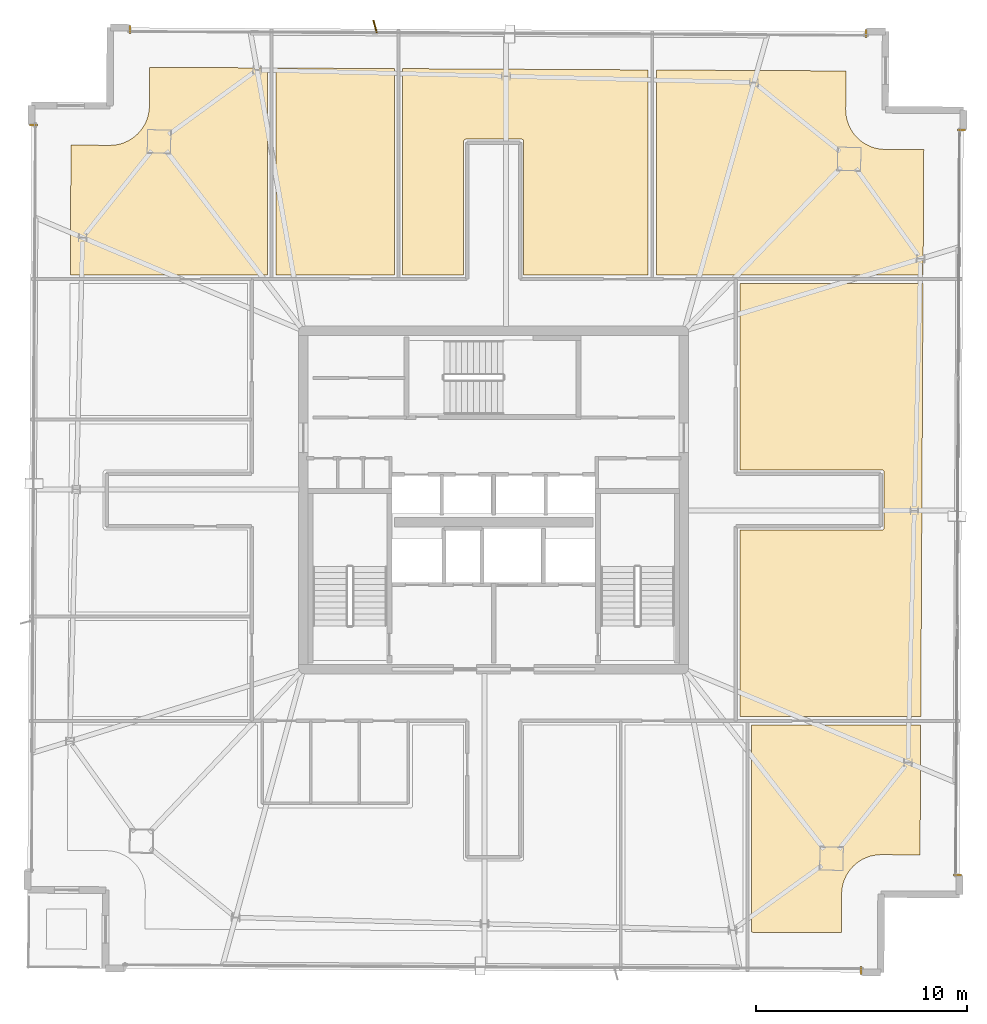
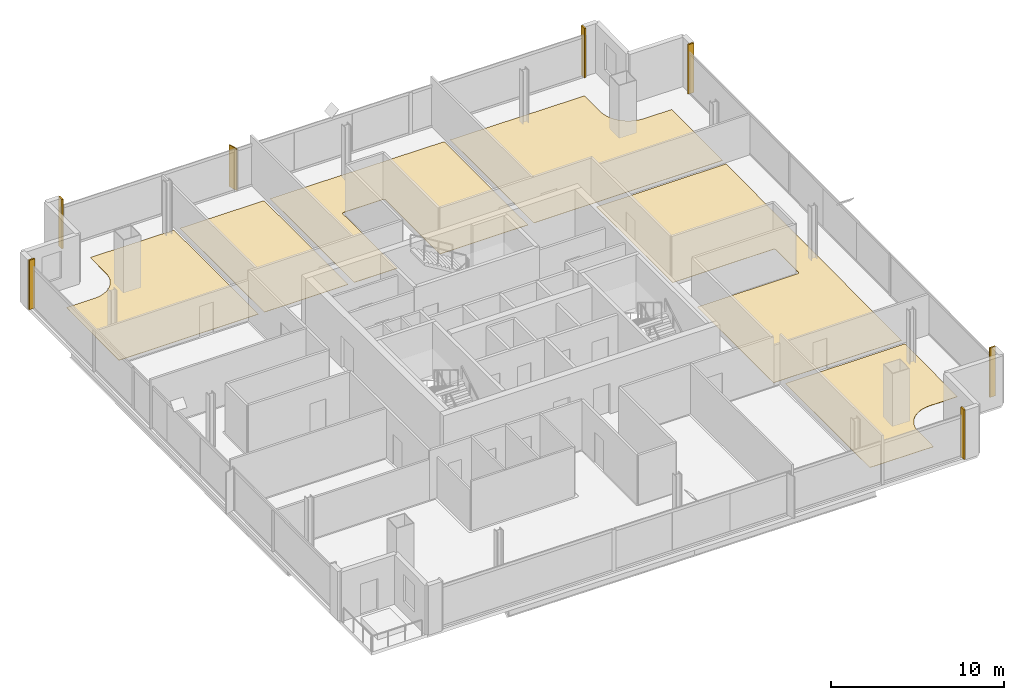
# One storey, part 24 of 24: 12 coverings, 1 shading device.
"""IFC4 building model written with IfcOpenShell, lengths in metres."""

from ifc_helpers import new_model, si_unit, direction, frame, origin, origin_2d, place, context, subcontext, project, spatial, polyline, rectangle, outline, extrude, source, transform, mapped, material, layer, layer_set, type_object, element, save


model = new_model("IFC4")

# Units and contexts
model_context = context("Model", 3, precision=1e-05, world=origin(), true_north=direction((0.0, 1.0)))
body_context = subcontext(model_context, "Body", "Model", "MODEL_VIEW")
ifc_project = project(units=[si_unit("LENGTHUNIT", "METRE"), si_unit("AREAUNIT", "SQUARE_METRE"), si_unit("VOLUMEUNIT", "CUBIC_METRE"), si_unit("PLANEANGLEUNIT", "RADIAN"), si_unit("MASSUNIT", "GRAM", prefix="KILO")], contexts=[model_context])

# Site, building, storey
site_placement = place(None, origin())
site = spatial("IfcSite", under=ifc_project, at=site_placement, CompositionType="ELEMENT")
building_placement = place(site_placement, origin())
building = spatial("IfcBuilding", under=site, at=building_placement, Name="Haldenkirk Collegiate Tower", CompositionType="ELEMENT")
storey_placement = place(building_placement, frame((0.0, 0.0, 328.949951171875)))
storey = spatial("IfcBuildingStorey", under=building, at=storey_placement, Name="L83", CompositionType="ELEMENT", Elevation=328.949951171875)

# Coverings
ifc_material_1 = material(Name="Polished collegiate terrazzo", Category="concrete")
ifc_layer_1 = layer(ifc_material_1, 0.02490234375)
ifc_layer_set_1 = layer_set([ifc_layer_1], Name="Polished collegiate terrazzo")
covering_type_1 = type_object("IfcCoveringType", Name="COV-FLOOR-TERRAZZO", PredefinedType="FLOORING", material=ifc_layer_set_1)
covering_1_placement = place(storey_placement, origin())
element("IfcCovering", 1, at=covering_1_placement, inside=storey, type_object=covering_type_1, Name="L83 academic room finish 04", PredefinedType="FLOORING", context=body_context, shape_type="SweptSolid", body=[
    extrude(outline(polyline([(17.837646484375, 42.775390625), (17.843505859375, 42.775390625), (18.01513671875, 42.782958984375), (18.02685546875, 42.7841796875), (18.19677734375, 42.808349609375), (18.208251953125, 42.810546875), (18.375, 42.851318359375), (18.386474609375, 42.854736328125), (18.54833984375, 42.911865234375), (18.559326171875, 42.916259765625), (18.71484375, 42.989013671875), (18.725341796875, 42.994384765625), (18.873291015625, 43.08203125), (18.8828125, 43.08837890625), (19.021484375, 43.18994140625), (19.03076171875, 43.197509765625), (19.158447265625, 43.31201171875), (19.166748046875, 43.3203125), (19.28271484375, 43.447021484375), (19.290283203125, 43.4560546875), (19.393310546875, 43.593505859375), (19.39990234375, 43.603271484375), (19.489013671875, 43.75), (19.49462890625, 43.760498046875), (19.56884765625, 43.915283203125), (19.573486328125, 43.926025390625), (19.632080078125, 44.08740234375), (19.6357421875, 44.0986328125), (19.67822265625, 44.26513671875), (19.6806640625, 44.276611328125), (19.70654296875, 44.4462890625), (19.707763671875, 44.4580078125), (19.71728515625, 44.62939453125), (19.71728515625, 44.635498046875), (19.72705078125, 46.465576171875), (25.300048828125, 46.436279296875), (25.300048828125, 36.64990234375), (15.975341796875, 36.64990234375), (16.007568359375, 42.784912109375), (17.837646484375, 42.775390625)])), origin(), (0.0, 0.0, 1.0), 0.025146484375),
])
covering_2_placement = place(storey_placement, origin())
element("IfcCovering", 2, at=covering_2_placement, inside=storey, type_object=covering_type_1, Name="L83 academic room finish 06", PredefinedType="FLOORING", context=body_context, shape_type="SweptSolid", body=[
    extrude(outline(polyline([(43.300048828125, 46.342041015625), (43.300048828125, 36.64990234375), (37.419921875, 36.64990234375), (37.419921875, 42.949951171875), (37.41943359375, 42.9619140625), (37.417724609375, 42.973388671875), (37.414794921875, 42.98486328125), (37.410888671875, 42.995849609375), (37.40576171875, 43.006591796875), (37.39990234375, 43.0166015625), (37.392822265625, 43.026123046875), (37.385009765625, 43.034912109375), (37.376220703125, 43.042724609375), (37.36669921875, 43.0498046875), (37.356689453125, 43.055908203125), (37.345947265625, 43.060791015625), (37.334716796875, 43.064697265625), (37.323486328125, 43.067626953125), (37.311767578125, 43.0693359375), (37.300048828125, 43.070068359375), (34.699951171875, 43.070068359375), (34.688232421875, 43.0693359375), (34.676513671875, 43.067626953125), (34.665283203125, 43.064697265625), (34.654052734375, 43.060791015625), (34.643310546875, 43.055908203125), (34.63330078125, 43.0498046875), (34.623779296875, 43.042724609375), (34.614990234375, 43.034912109375), (34.607177734375, 43.026123046875), (34.60009765625, 43.0166015625), (34.59423828125, 43.006591796875), (34.589111328125, 42.995849609375), (34.585205078125, 42.98486328125), (34.582275390625, 42.973388671875), (34.58056640625, 42.9619140625), (34.580078125, 42.949951171875), (34.580078125, 36.64990234375), (31.699951171875, 36.64990234375), (31.699951171875, 46.40283203125), (43.300048828125, 46.342041015625)])), origin(), (0.0, 0.0, 1.0), 0.025146484375),
])
ifc_material_2 = material(Name="Engineered collegiate oak acoustic flooring", Category="wood")
ifc_layer_2 = layer(ifc_material_2, 0.02197265625)
ifc_layer_set_2 = layer_set([ifc_layer_2], Name="Engineered collegiate oak acoustic flooring")
covering_type_2 = type_object("IfcCoveringType", Name="COV-FLOOR-TIMBER", PredefinedType="FLOORING", material=ifc_layer_set_2)
covering_3_placement = place(storey_placement, origin())
element("IfcCovering", 3, at=covering_3_placement, inside=storey, type_object=covering_type_2, Name="L83 academic room finish 03", PredefinedType="FLOORING", context=body_context, shape_type="SweptSolid", body=[
    extrude(outline(polyline([(53.626708984375, 9.08740234375), (53.61572265625, 9.082763671875), (53.460205078125, 9.01025390625), (53.44970703125, 9.004638671875), (53.3017578125, 8.9169921875), (53.2919921875, 8.91064453125), (53.153564453125, 8.80908203125), (53.144287109375, 8.8017578125), (53.0166015625, 8.68701171875), (53.00830078125, 8.6787109375), (52.89208984375, 8.55224609375), (52.884765625, 8.543212890625), (52.781494140625, 8.40576171875), (52.77490234375, 8.39599609375), (52.68603515625, 8.2490234375), (52.680419921875, 8.23876953125), (52.606201171875, 8.083984375), (52.6015625, 8.072998046875), (52.542724609375, 7.91162109375), (52.539306640625, 7.900390625), (52.49658203125, 7.73388671875), (52.494384765625, 7.722412109375), (52.468505859375, 7.552734375), (52.46728515625, 7.541015625), (52.457763671875, 7.36962890625), (52.45751953125, 7.363525390625), (52.447998046875, 5.533447265625), (48.199951171875, 5.555908203125), (48.199951171875, 15.35009765625), (56.19970703125, 15.35009765625), (56.16748046875, 9.214111328125), (54.33740234375, 9.223876953125), (54.33154296875, 9.2236328125), (54.159912109375, 9.216064453125), (54.148193359375, 9.215087890625), (53.978271484375, 9.190673828125), (53.966796875, 9.1884765625), (53.7998046875, 9.147705078125), (53.78857421875, 9.144287109375), (53.626708984375, 9.08740234375)])), origin(), (0.0, 0.0, 1.0), 0.02197265625),
])
covering_4_placement = place(storey_placement, origin())
element("IfcCovering", 4, at=covering_4_placement, inside=storey, type_object=covering_type_2, Name="L83 academic room finish 05", PredefinedType="FLOORING", context=body_context, shape_type="SweptSolid", body=[
    extrude(outline(polyline([(31.300048828125, 46.40478515625), (31.300048828125, 36.64990234375), (25.699951171875, 36.64990234375), (25.699951171875, 46.434326171875), (31.300048828125, 46.40478515625)])), origin(), (0.0, 0.0, 1.0), 0.02197265625),
])
covering_5_placement = place(storey_placement, origin())
element("IfcCovering", 5, at=covering_5_placement, inside=storey, type_object=covering_type_2, Name="L83 academic room finish 07", PredefinedType="FLOORING", context=body_context, shape_type="SweptSolid", body=[
    extrude(outline(polyline([(52.66162109375, 46.29296875), (52.65185546875, 44.462890625), (52.652099609375, 44.45703125), (52.65966796875, 44.28564453125), (52.66064453125, 44.27392578125), (52.68505859375, 44.10400390625), (52.687255859375, 44.09228515625), (52.72802734375, 43.925537109375), (52.7314453125, 43.914306640625), (52.788330078125, 43.752197265625), (52.792724609375, 43.741455078125), (52.865478515625, 43.585693359375), (52.87109375, 43.5751953125), (52.95849609375, 43.427490234375), (52.965087890625, 43.417724609375), (53.06640625, 43.279296875), (53.073974609375, 43.27001953125), (53.188720703125, 43.14208984375), (53.197021484375, 43.1337890625), (53.323486328125, 43.017822265625), (53.33251953125, 43.010498046875), (53.47021484375, 42.9072265625), (53.47998046875, 42.900634765625), (53.626708984375, 42.811767578125), (53.636962890625, 42.80615234375), (53.791748046875, 42.731689453125), (53.802734375, 42.727294921875), (53.964111328125, 42.66845703125), (53.975341796875, 42.6650390625), (54.1416015625, 42.622314453125), (54.1533203125, 42.6201171875), (54.322998046875, 42.593994140625), (54.334716796875, 42.5927734375), (54.506103515625, 42.58349609375), (54.51220703125, 42.583251953125), (56.342041015625, 42.57373046875), (56.31103515625, 36.64990234375), (43.699951171875, 36.64990234375), (43.699951171875, 46.340087890625), (52.66162109375, 46.29296875)])), origin(), (0.0, 0.0, 1.0), 0.02197265625),
])
covering_6_placement = place(storey_placement, origin())
element("IfcCovering", 6, at=covering_6_placement, inside=storey, type_object=covering_type_2, Name="L83 academic room finish 11", PredefinedType="FLOORING", context=body_context, shape_type="SweptSolid", body=[
    extrude(outline(polyline([(54.35009765625, 24.580078125), (54.36181640625, 24.58056640625), (54.373291015625, 24.582275390625), (54.384765625, 24.585205078125), (54.39599609375, 24.589111328125), (54.406494140625, 24.59423828125), (54.416748046875, 24.60009765625), (54.426025390625, 24.607177734375), (54.434814453125, 24.614990234375), (54.44287109375, 24.623779296875), (54.44970703125, 24.63330078125), (54.455810546875, 24.643310546875), (54.4609375, 24.654052734375), (54.46484375, 24.665283203125), (54.4677734375, 24.676513671875), (54.469482421875, 24.688232421875), (54.469970703125, 24.699951171875), (54.469970703125, 27.300048828125), (54.469482421875, 27.311767578125), (54.4677734375, 27.323486328125), (54.46484375, 27.334716796875), (54.4609375, 27.345947265625), (54.455810546875, 27.356689453125), (54.44970703125, 27.36669921875), (54.44287109375, 27.376220703125), (54.434814453125, 27.385009765625), (54.426025390625, 27.392822265625), (54.416748046875, 27.39990234375), (54.406494140625, 27.40576171875), (54.39599609375, 27.410888671875), (54.384765625, 27.414794921875), (54.373291015625, 27.417724609375), (54.36181640625, 27.41943359375), (54.35009765625, 27.419921875), (47.64990234375, 27.419921875), (47.64990234375, 36.25), (56.30908203125, 36.25), (56.20166015625, 15.75), (47.64990234375, 15.75), (47.64990234375, 24.580078125), (54.35009765625, 24.580078125)])), origin(), (0.0, 0.0, 1.0), 0.02197265625),
])
ifc_material_3 = material(Name="Anodised architectural bronze aluminium", Category="aluminium")
ifc_layer_3 = layer(ifc_material_3, 0.06005859375)
ifc_layer_set_3 = layer_set([ifc_layer_3], Name="Anodised architectural bronze aluminium")
covering_type_3 = type_object("IfcCoveringType", Name="COV-CLAD-BRONZE-60", PredefinedType="CLADDING", material=ifc_layer_set_3)
shared_shape_1 = source(origin(), body_context, "Body", "SweptSolid", [
    extrude(rectangle(XDim=0.10009765625, YDim=0.3798828125, at=origin_2d()), origin(), (0.0, 0.0, 1.0), 3.489990234375),
])
for number, where, z_axis, x_axis, name in (
    (7, (58.126953125, 43.50439453125, 0.0), (0.0, 0.0, 1.0), (-0.005235963831, -0.999986292247, 0.0), "L83 recessed curtain-wall bronze jamb closure SJL"),
    (8, (57.9423828125, 8.264892578125, 0.0), (0.0, 0.0, 1.0), (-0.005235963831, -0.999986292247, 0.0), "L83 recessed curtain-wall bronze jamb closure SJR"),
    (9, (18.79638671875, 48.25048828125, 0.0), (0.0, 0.0, 1.0), (0.999986292247, -0.005235963831, 0.0), "L83 recessed curtain-wall bronze jamb closure EJL"),
    (10, (53.610595703125, 48.068115234375, 0.0), (0.0, 0.0, 1.0), (0.999986292247, -0.005235963831, 0.0), "L83 recessed curtain-wall bronze jamb closure EJR"),
    (11, (14.232421875, 43.734130859375, 0.0), (0.0, 0.0, 1.0), (0.005235963831, 0.999986292247, 0.0), "L83 recessed curtain-wall bronze jamb closure NJR"),
    (12, (53.378662109375, 3.748779296875, 0.0), (0.0, 0.0, 1.0), (-0.999986292247, 0.005235963831, 0.0), "L83 recessed curtain-wall bronze jamb closure WJL"),
):
    element("IfcCovering", number, at=place(storey_placement, frame(where, z_axis=z_axis, x_axis=x_axis)), inside=storey, type_object=covering_type_3, Name=name, PredefinedType="CLADDING", context=body_context, shape_type="MappedRepresentation", body=[
        mapped(shared_shape_1, transform((0.0, 0.0, 0.0), x_axis=(1.0, 0.0, 0.0), y_axis=(0.0, 1.0, 0.0), z_axis=(0.0, 0.0, 1.0), scale=1.0)),
    ])

# Shading device
ifc_layer_4 = layer(ifc_material_3, 0.06494140625)
ifc_layer_set_4 = layer_set([ifc_layer_4], Name="Anodised architectural bronze aluminium")
shading_device_type = type_object("IfcShadingDeviceType", Name="SHD-FIN-BRONZE-620", PredefinedType="USERDEFINED", material=ifc_layer_set_4)
shared_shape_2 = source(origin(), body_context, "Body", "SweptSolid", [
    extrude(rectangle(XDim=0.6201171875, YDim=0.06494140625, at=origin_2d()), origin(), (0.0, 0.0, 1.0), 2.947998046875),
])
shading_device_placement = place(storey_placement, frame((30.39208984375, 48.394775390625, 0.0), z_axis=(0.0, 0.0, 1.0), x_axis=(-0.270600445976, 0.962691746426, 0.0)))
element("IfcShadingDevice", 13, at=shading_device_placement, inside=storey, type_object=shading_device_type, Name="L83 folded bronze solar fin 1", ObjectType="FIN", PredefinedType="USERDEFINED", context=body_context, shape_type="MappedRepresentation", body=[
    mapped(shared_shape_2, transform((0.0, 0.0, 0.0), x_axis=(1.0, 0.0, 0.0), y_axis=(0.0, 1.0, 0.0), z_axis=(0.0, 0.0, 1.0), scale=1.0)),
])

save(model, "model.ifc")
